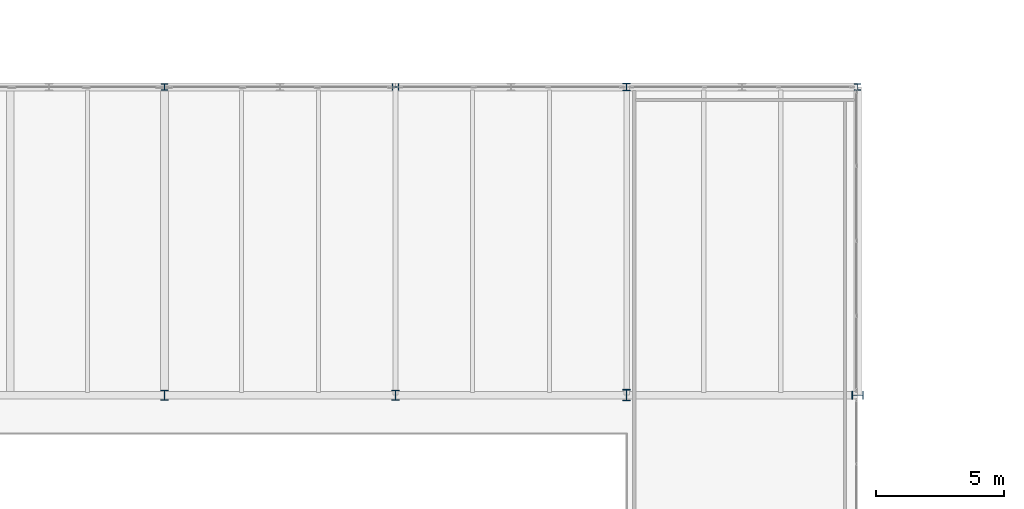
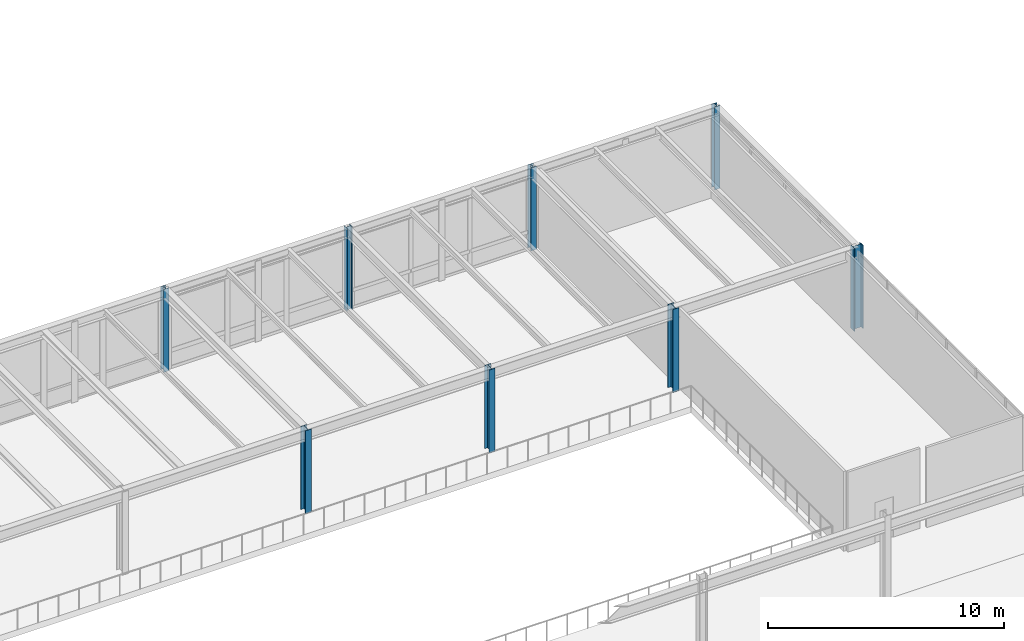
# One storey, part 11 of 115: 8 columns.
"""IFC4 building model written with IfcOpenShell, lengths in metres."""

from ifc_helpers import new_model, si_unit, direction, frame, origin, origin_2d, place, context, subcontext, project, spatial, i_section, extrude, material, material_profile, profile_set, type_object, element, save


model = new_model("IFC4")

# Units and contexts
model_context = context("Model", 3, precision=1e-05, world=origin(), true_north=direction((0.0, 1.0)))
body_context = subcontext(model_context, "Body", "Model", "MODEL_VIEW")
ifc_project = project(units=[si_unit("LENGTHUNIT", "METRE"), si_unit("AREAUNIT", "SQUARE_METRE"), si_unit("VOLUMEUNIT", "CUBIC_METRE"), si_unit("PLANEANGLEUNIT", "RADIAN"), si_unit("MASSUNIT", "GRAM", prefix="KILO")], contexts=[model_context])

# Site, building, storey
site_placement = place(None, origin())
site = spatial("IfcSite", under=ifc_project, at=site_placement, CompositionType="ELEMENT")
building_placement = place(site_placement, origin())
building = spatial("IfcBuilding", under=site, at=building_placement, Name="Montelvaro Courts of Justice", CompositionType="ELEMENT")
storey_placement = place(building_placement, frame((0.0, 0.0, 9.89990234375)))
storey = spatial("IfcBuildingStorey", under=building, at=storey_placement, Name="L02", CompositionType="ELEMENT", Elevation=9.89990234375)

# Columns
ifc_material = material(Name="Steel S355", Category="steel")
ifc_material_profile_1 = material_profile(ifc_material, i_section(OverallWidth=0.260009765625, OverallDepth=0.260009765625, WebThickness=0.010009765625, FlangeThickness=0.017578125, at=origin_2d()), Name="HEB 260")
ifc_profile_set_1 = profile_set([ifc_material_profile_1], Name="Steel S355")
column_type_1 = type_object("IfcColumnType", Name="Col_HEB260", PredefinedType="COLUMN", material=ifc_profile_set_1)
for number, where, z_axis, x_axis, name in (
    (1, (54.0, 108.0, 0.0), (0.0, 0.0, 1.0), (1.0, 0.0, 0.0), "Column C-01 L02 7/I"),
    (2, (63.0, 108.0, 0.0), (0.0, 0.0, 1.0), (0.0, 1.0, 0.0), "Column C-01 L02 8/I"),
    (3, (81.0, 108.0, 0.0), (0.0, 0.0, 1.0), (1.0, 0.0, 0.0), "Column C-01 L02 10/I"),
):
    element("IfcColumn", number, at=place(storey_placement, frame(where, z_axis=z_axis, x_axis=x_axis)), inside=storey, type_object=column_type_1, Name=name, PredefinedType="COLUMN", context=body_context, shape_type="SweptSolid", body=[
        extrude(i_section(OverallWidth=0.260009765625, OverallDepth=0.260009765625, WebThickness=0.010009765625, FlangeThickness=0.017578125, at=origin_2d()), origin(), (0.0, 0.0, 1.0), 4.300048828125),
    ])
ifc_material_profile_2 = material_profile(ifc_material, i_section(OverallWidth=0.280029296875, OverallDepth=0.280029296875, WebThickness=0.010498046875, FlangeThickness=0.01806640625, at=origin_2d()), Name="HEB 280")
ifc_profile_set_2 = profile_set([ifc_material_profile_2], Name="Steel S355")
column_type_2 = type_object("IfcColumnType", Name="Col_HEB280", PredefinedType="COLUMN", material=ifc_profile_set_2)
column_placement = place(storey_placement, frame((72.0, 108.0, 0.0), z_axis=(0.0, 0.0, 1.0), x_axis=(1.0, 0.0, 0.0)))
element("IfcColumn", 4, at=column_placement, inside=storey, type_object=column_type_2, Name="Column C-02 L02 9/I", PredefinedType="COLUMN", context=body_context, shape_type="SweptSolid", body=[
    extrude(i_section(OverallWidth=0.280029296875, OverallDepth=0.280029296875, WebThickness=0.010498046875, FlangeThickness=0.01806640625, at=origin_2d()), origin(), (0.0, 0.0, 1.0), 4.300048828125),
])
ifc_material_profile_3 = material_profile(ifc_material, i_section(OverallWidth=0.300048828125, OverallDepth=0.39990234375, WebThickness=0.013427734375, FlangeThickness=0.02392578125, at=origin_2d()), Name="HEB 400")
ifc_profile_set_3 = profile_set([ifc_material_profile_3], Name="Steel S355")
column_type_3 = type_object("IfcColumnType", Name="Col_HEB400", PredefinedType="COLUMN", material=ifc_profile_set_3)
for number, where, z_axis, x_axis, name in (
    (5, (54.0, 96.0, 0.0), (0.0, 0.0, 1.0), (1.0, 0.0, 0.0), "Column C-07 L02 7/H"),
    (6, (63.0, 96.0, 0.0), (0.0, 0.0, 1.0), (1.0, 0.0, 0.0), "Column C-07 L02 8/H"),
):
    element("IfcColumn", number, at=place(storey_placement, frame(where, z_axis=z_axis, x_axis=x_axis)), inside=storey, type_object=column_type_3, Name=name, PredefinedType="COLUMN", context=body_context, shape_type="SweptSolid", body=[
        extrude(i_section(OverallWidth=0.300048828125, OverallDepth=0.39990234375, WebThickness=0.013427734375, FlangeThickness=0.02392578125, at=origin_2d()), origin(), (0.0, 0.0, 1.0), 4.300048828125),
    ])
ifc_material_profile_4 = material_profile(ifc_material, i_section(OverallWidth=0.300048828125, OverallDepth=0.449951171875, WebThickness=0.013916015625, FlangeThickness=0.02587890625, at=origin_2d()), Name="HEB 450")
ifc_profile_set_4 = profile_set([ifc_material_profile_4], Name="Steel S355")
column_type_4 = type_object("IfcColumnType", Name="Col_HEB450", PredefinedType="COLUMN", material=ifc_profile_set_4)
for number, where, z_axis, x_axis, name in (
    (7, (72.0, 96.0, 0.0), (0.0, 0.0, 1.0), (1.0, 0.0, 0.0), "Column C-08 L02 9/H"),
    (8, (81.0, 96.0, 0.0), (0.0, 0.0, 1.0), (0.0, 1.0, 0.0), "Column C-08 L02 10/H"),
):
    element("IfcColumn", number, at=place(storey_placement, frame(where, z_axis=z_axis, x_axis=x_axis)), inside=storey, type_object=column_type_4, Name=name, PredefinedType="COLUMN", context=body_context, shape_type="SweptSolid", body=[
        extrude(i_section(OverallWidth=0.300048828125, OverallDepth=0.449951171875, WebThickness=0.013916015625, FlangeThickness=0.02587890625, at=origin_2d()), origin(), (0.0, 0.0, 1.0), 4.300048828125),
    ])

save(model, "model.ifc")
